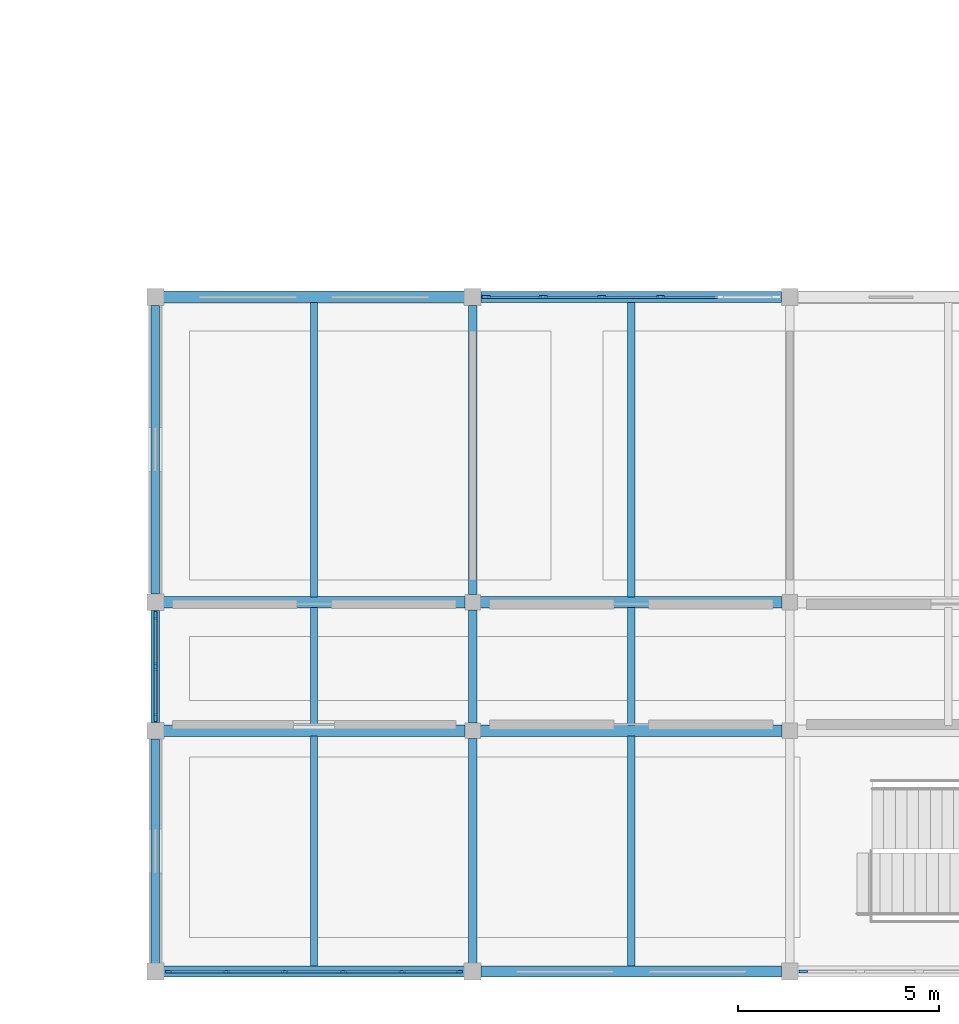
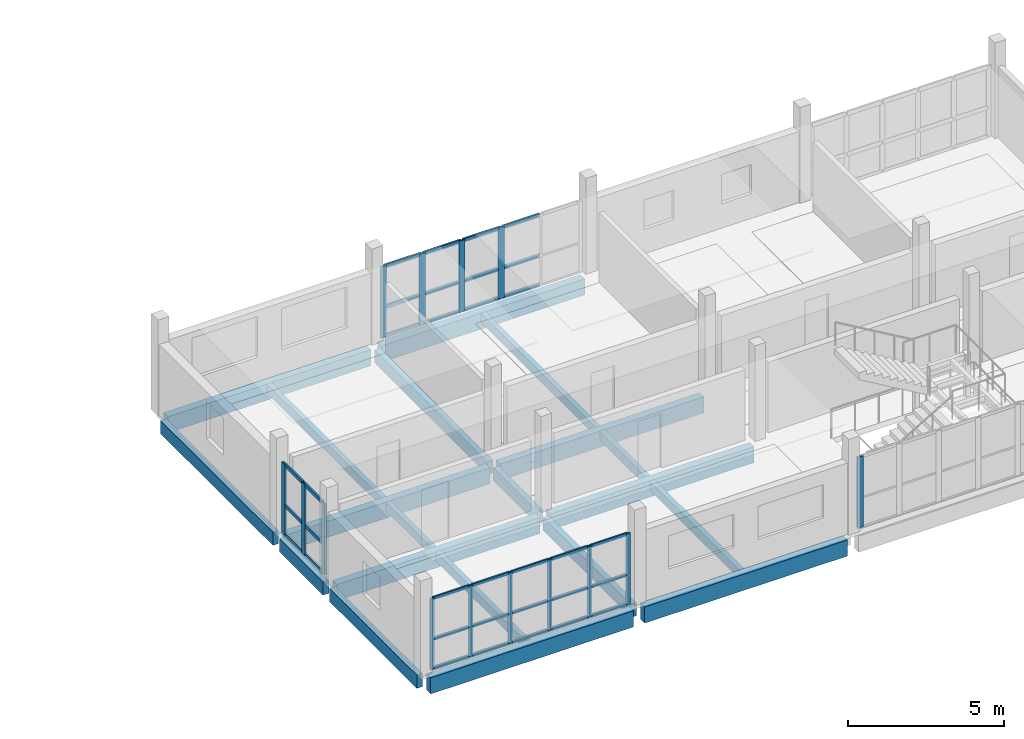
# One storey, part 15 of 77: 47 members, 20 beams, 4 elements without a shape of their own.
"""IFC4 building model written with IfcOpenShell, lengths in metres."""

from ifc_helpers import new_model, si_unit, direction, frame, origin, origin_2d, place, context, subcontext, project, spatial, rectangle, extrude, material, layer, layer_set, material_profile, profile_set, type_object, element, aggregate, save


model = new_model("IFC4")

# Units and contexts
model_context = context("Model", 3, precision=1e-05, world=origin(), true_north=direction((0.0, 1.0)))
body_context = subcontext(model_context, "Body", "Model", "MODEL_VIEW")
ifc_project = project(units=[si_unit("LENGTHUNIT", "METRE"), si_unit("AREAUNIT", "SQUARE_METRE"), si_unit("VOLUMEUNIT", "CUBIC_METRE"), si_unit("PLANEANGLEUNIT", "RADIAN"), si_unit("MASSUNIT", "GRAM", prefix="KILO")], contexts=[model_context])

# Site, building, storey
site_placement = place(None, origin())
site = spatial("IfcSite", under=ifc_project, at=site_placement, CompositionType="ELEMENT")
building_placement = place(site_placement, origin())
building = spatial("IfcBuilding", under=site, at=building_placement, Name="Caldaven Crescent School", CompositionType="ELEMENT")
storey_placement = place(building_placement, frame((0.0, 0.0, 4.419921875)))
storey = spatial("IfcBuildingStorey", under=building, at=storey_placement, Name="L01", CompositionType="ELEMENT", Elevation=4.419921875)

# Beams
ifc_material_1 = material(Name="Glulam MLE24h (GL28h)", Category="wood")
ifc_material_profile_1 = material_profile(ifc_material_1, rectangle(XDim=0.2099609375, YDim=0.510009765625, at=origin_2d()), Name="MLE 210x510")
ifc_profile_set_1 = profile_set([ifc_material_profile_1], Name="Glulam MLE24h (GL28h)")
beam_type_1 = type_object("IfcBeamType", Name="BM-GL51", PredefinedType="BEAM", material=ifc_profile_set_1)
beam_1_placement = place(storey_placement, frame((25.5, 4.405029296875, -0.474853515625), z_axis=(0.0, 1.0, 0.0), x_axis=(-1.0, 0.0, 0.0)))
element("IfcBeam", 1, at=beam_1_placement, inside=storey, type_object=beam_type_1, Name="BMY-V4S-L01-0604", PredefinedType="BEAM", context=body_context, shape_type="SweptSolid", body=[
    extrude(rectangle(XDim=0.2099609375, YDim=0.510009765625, at=origin_2d()), origin(), (0.0, 0.0, 1.0), 5.590087890625),
])
beam_2_placement = place(storey_placement, frame((25.5, 10.405029296875, -0.474853515625), z_axis=(0.0, 1.0, 0.0), x_axis=(-1.0, 0.0, 0.0)))
element("IfcBeam", 2, at=beam_2_placement, inside=storey, type_object=beam_type_1, Name="BMY-V4S-L01-0605", PredefinedType="BEAM", context=body_context, shape_type="SweptSolid", body=[
    extrude(rectangle(XDim=0.2099609375, YDim=0.510009765625, at=origin_2d()), origin(), (0.0, 0.0, 1.0), 2.7900390625),
])
beam_3_placement = place(storey_placement, frame((25.5, 13.60498046875, -0.474853515625), z_axis=(0.0, 1.0, 0.0), x_axis=(-1.0, 0.0, 0.0)))
element("IfcBeam", 3, at=beam_3_placement, inside=storey, type_object=beam_type_1, Name="BMY-V4S-L01-0606", PredefinedType="BEAM", context=body_context, shape_type="SweptSolid", body=[
    extrude(rectangle(XDim=0.2099609375, YDim=0.510009765625, at=origin_2d()), origin(), (0.0, 0.0, 1.0), 7.18994140625),
])
beam_4_placement = place(storey_placement, frame((33.39990234375, 4.405029296875, -0.474853515625), z_axis=(0.0, 1.0, 0.0), x_axis=(-1.0, 0.0, 0.0)))
element("IfcBeam", 4, at=beam_4_placement, inside=storey, type_object=beam_type_1, Name="BMY-V4S-L01-0607", PredefinedType="BEAM", context=body_context, shape_type="SweptSolid", body=[
    extrude(rectangle(XDim=0.2099609375, YDim=0.510009765625, at=origin_2d()), origin(), (0.0, 0.0, 1.0), 5.60498046875),
])
beam_5_placement = place(storey_placement, frame((33.39990234375, 10.389892578125, -0.474853515625), z_axis=(0.0, 1.0, 0.0), x_axis=(-1.0, 0.0, 0.0)))
element("IfcBeam", 5, at=beam_5_placement, inside=storey, type_object=beam_type_1, Name="BMY-V4S-L01-0608", PredefinedType="BEAM", context=body_context, shape_type="SweptSolid", body=[
    extrude(rectangle(XDim=0.2099609375, YDim=0.510009765625, at=origin_2d()), origin(), (0.0, 0.0, 1.0), 2.820068359375),
])
beam_6_placement = place(storey_placement, frame((33.39990234375, 13.590087890625, -0.474853515625), z_axis=(0.0, 1.0, 0.0), x_axis=(-1.0, 0.0, 0.0)))
element("IfcBeam", 6, at=beam_6_placement, inside=storey, type_object=beam_type_1, Name="BMY-V4S-L01-0609", PredefinedType="BEAM", context=body_context, shape_type="SweptSolid", body=[
    extrude(rectangle(XDim=0.2099609375, YDim=0.510009765625, at=origin_2d()), origin(), (0.0, 0.0, 1.0), 7.204833984375),
])
ifc_material_profile_2 = material_profile(ifc_material_1, rectangle(XDim=0.280029296875, YDim=0.6298828125, at=origin_2d()), Name="MLE 280x630")
ifc_profile_set_2 = profile_set([ifc_material_profile_2], Name="Glulam MLE24h (GL28h)")
beam_type_2 = type_object("IfcBeamType", Name="BM-GL63", PredefinedType="BEAM", material=ifc_profile_set_2)
for number, where, z_axis, x_axis, name in (
    (7, (25.705078125, 4.199951171875, -0.534912109375), (1.0, 0.0, 0.0), (0.0, 1.0, 0.0), "BMX-V4S-L01-0588"),
    (8, (33.60498046875, 4.199951171875, -0.534912109375), (1.0, 0.0, 0.0), (0.0, 1.0, 0.0), "BMX-V4S-L01-0589"),
):
    element("IfcBeam", number, at=place(storey_placement, frame(where, z_axis=z_axis, x_axis=x_axis)), inside=storey, type_object=beam_type_2, Name=name, PredefinedType="BEAM", context=body_context, shape_type="SweptSolid", body=[
        extrude(rectangle(XDim=0.280029296875, YDim=0.6298828125, at=origin_2d()), origin(), (0.0, 0.0, 1.0), 7.489990234375),
    ])
beam_7_placement = place(storey_placement, frame((25.705078125, 10.199951171875, -0.534912109375), z_axis=(1.0, 0.0, 0.0), x_axis=(0.0, 1.0, 0.0)))
element("IfcBeam", 9, at=beam_7_placement, inside=storey, type_object=beam_type_2, Name="BMX-V4S-L01-0592", PredefinedType="BEAM", context=body_context, shape_type="SweptSolid", body=[
    extrude(rectangle(XDim=0.280029296875, YDim=0.6298828125, at=origin_2d()), origin(), (0.0, 0.0, 1.0), 7.5048828125),
])
beam_8_placement = place(storey_placement, frame((33.590087890625, 10.199951171875, -0.534912109375), z_axis=(1.0, 0.0, 0.0), x_axis=(0.0, 1.0, 0.0)))
element("IfcBeam", 10, at=beam_8_placement, inside=storey, type_object=beam_type_2, Name="BMX-V4S-L01-0593", PredefinedType="BEAM", context=body_context, shape_type="SweptSolid", body=[
    extrude(rectangle(XDim=0.280029296875, YDim=0.6298828125, at=origin_2d()), origin(), (0.0, 0.0, 1.0), 7.52001953125),
])
beam_9_placement = place(storey_placement, frame((25.705078125, 13.39990234375, -0.534912109375), z_axis=(1.0, 0.0, 0.0), x_axis=(0.0, 1.0, 0.0)))
element("IfcBeam", 11, at=beam_9_placement, inside=storey, type_object=beam_type_2, Name="BMX-V4S-L01-0596", PredefinedType="BEAM", context=body_context, shape_type="SweptSolid", body=[
    extrude(rectangle(XDim=0.280029296875, YDim=0.6298828125, at=origin_2d()), origin(), (0.0, 0.0, 1.0), 7.5048828125),
])
beam_10_placement = place(storey_placement, frame((33.590087890625, 13.39990234375, -0.534912109375), z_axis=(1.0, 0.0, 0.0), x_axis=(0.0, 1.0, 0.0)))
element("IfcBeam", 12, at=beam_10_placement, inside=storey, type_object=beam_type_2, Name="BMX-V4S-L01-0597", PredefinedType="BEAM", context=body_context, shape_type="SweptSolid", body=[
    extrude(rectangle(XDim=0.280029296875, YDim=0.6298828125, at=origin_2d()), origin(), (0.0, 0.0, 1.0), 7.52001953125),
])
for number, where, z_axis, x_axis, name in (
    (13, (25.705078125, 21.0, -0.534912109375), (1.0, 0.0, 0.0), (0.0, 1.0, 0.0), "BMX-V4S-L01-0600"),
    (14, (33.60498046875, 21.0, -0.534912109375), (1.0, 0.0, 0.0), (0.0, 1.0, 0.0), "BMX-V4S-L01-0601"),
):
    element("IfcBeam", number, at=place(storey_placement, frame(where, z_axis=z_axis, x_axis=x_axis)), inside=storey, type_object=beam_type_2, Name=name, PredefinedType="BEAM", context=body_context, shape_type="SweptSolid", body=[
        extrude(rectangle(XDim=0.280029296875, YDim=0.6298828125, at=origin_2d()), origin(), (0.0, 0.0, 1.0), 7.489990234375),
    ])

# Curtain wall, members
ifc_material_2 = material(Name="Anodised aluminium AA 6063-T6 and low-E double glazing", Category="aluminium")
ifc_layer_1 = layer(ifc_material_2, 0.169921875)
ifc_layer_set_1 = layer_set([ifc_layer_1], Name="Anodised aluminium AA 6063-T6 and low-E double glazing")
curtain_wall_type_1 = type_object("IfcCurtainWallType", Name="CW-SYS1", PredefinedType="NOTDEFINED", material=ifc_layer_set_1)
curtain_wall_1_placement = place(storey_placement, origin())
curtain_wall_1 = element("IfcCurtainWall", 15, at=curtain_wall_1_placement, inside=storey, type_object=curtain_wall_type_1, Name="CW-L01-093", PredefinedType="NOTDEFINED")
ifc_material_3 = material(Name="Anodised aluminium AA 6063-T6", Category="aluminium")
ifc_material_profile_3 = material_profile(ifc_material_3, rectangle(XDim=0.06005859375, YDim=0.14990234375, at=origin_2d()), Name="CWM 60x150")
ifc_profile_set_3 = profile_set([ifc_material_profile_3], Name="Anodised aluminium AA 6063-T6")
member_type_1 = type_object("IfcMemberType", Name="CWM-T1", PredefinedType="MULLION", material=ifc_profile_set_3)
member_1_placement = place(storey_placement, frame((25.830078125, 4.199951171875, 0.0), z_axis=(0.0, 0.0, 1.0), x_axis=(0.0, 1.0, 0.0)))
member_1 = element("IfcMember", 16, at=member_1_placement, type_object=member_type_1, Name="CW1 mullion 1", PredefinedType="MULLION", context=body_context, shape_type="SweptSolid", body=[
    extrude(rectangle(XDim=0.06005859375, YDim=0.14990234375, at=origin_2d()), origin(), (0.0, 0.0, 1.0), 2.780029296875),
])
member_2_placement = place(storey_placement, frame((27.260009765625, 4.199951171875, 0.0), z_axis=(0.0, 0.0, 1.0), x_axis=(0.0, 1.0, 0.0)))
member_2 = element("IfcMember", 17, at=member_2_placement, type_object=member_type_1, Name="CW1 mullion 2", PredefinedType="MULLION", context=body_context, shape_type="SweptSolid", body=[
    extrude(rectangle(XDim=0.06005859375, YDim=0.14990234375, at=origin_2d()), origin(), (0.0, 0.0, 1.0), 2.780029296875),
])
member_3_placement = place(storey_placement, frame((28.719970703125, 4.199951171875, 0.0), z_axis=(0.0, 0.0, 1.0), x_axis=(0.0, 1.0, 0.0)))
member_3 = element("IfcMember", 18, at=member_3_placement, type_object=member_type_1, Name="CW1 mullion 3", PredefinedType="MULLION", context=body_context, shape_type="SweptSolid", body=[
    extrude(rectangle(XDim=0.06005859375, YDim=0.14990234375, at=origin_2d()), origin(), (0.0, 0.0, 1.0), 2.780029296875),
])
member_4_placement = place(storey_placement, frame((30.179931640625, 4.199951171875, 0.0), z_axis=(0.0, 0.0, 1.0), x_axis=(0.0, 1.0, 0.0)))
member_4 = element("IfcMember", 19, at=member_4_placement, type_object=member_type_1, Name="CW1 mullion 4", PredefinedType="MULLION", context=body_context, shape_type="SweptSolid", body=[
    extrude(rectangle(XDim=0.06005859375, YDim=0.14990234375, at=origin_2d()), origin(), (0.0, 0.0, 1.0), 2.780029296875),
])
member_5_placement = place(storey_placement, frame((31.639892578125, 4.199951171875, 0.0), z_axis=(0.0, 0.0, 1.0), x_axis=(0.0, 1.0, 0.0)))
member_5 = element("IfcMember", 20, at=member_5_placement, type_object=member_type_1, Name="CW1 mullion 5", PredefinedType="MULLION", context=body_context, shape_type="SweptSolid", body=[
    extrude(rectangle(XDim=0.06005859375, YDim=0.14990234375, at=origin_2d()), origin(), (0.0, 0.0, 1.0), 2.780029296875),
])
member_6_placement = place(storey_placement, frame((33.070068359375, 4.199951171875, 0.0), z_axis=(0.0, 0.0, 1.0), x_axis=(0.0, 1.0, 0.0)))
member_6 = element("IfcMember", 21, at=member_6_placement, type_object=member_type_1, Name="CW1 mullion 6", PredefinedType="MULLION", context=body_context, shape_type="SweptSolid", body=[
    extrude(rectangle(XDim=0.06005859375, YDim=0.14990234375, at=origin_2d()), origin(), (0.0, 0.0, 1.0), 2.780029296875),
])

# Curtain wall, member
ifc_layer_2 = layer(ifc_material_2, 0.2099609375)
ifc_layer_set_2 = layer_set([ifc_layer_2], Name="Anodised aluminium AA 6063-T6 and low-E double glazing")
curtain_wall_type_2 = type_object("IfcCurtainWallType", Name="CW-SYS3", PredefinedType="NOTDEFINED", material=ifc_layer_set_2)
curtain_wall_2_placement = place(storey_placement, origin())
curtain_wall_2 = element("IfcCurtainWall", 22, at=curtain_wall_2_placement, inside=storey, type_object=curtain_wall_type_2, Name="CW-L01-094", PredefinedType="NOTDEFINED")
ifc_material_profile_4 = material_profile(ifc_material_3, rectangle(XDim=0.070068359375, YDim=0.2099609375, at=origin_2d()), Name="CWM 70x210")
ifc_profile_set_4 = profile_set([ifc_material_profile_4], Name="Anodised aluminium AA 6063-T6")
member_type_2 = type_object("IfcMemberType", Name="CWM-T3", PredefinedType="MULLION", material=ifc_profile_set_4)
member_7_placement = place(storey_placement, frame((41.635009765625, 4.199951171875, 0.0), z_axis=(0.0, 0.0, 1.0), x_axis=(0.0, 1.0, 0.0)))
member_7 = element("IfcMember", 23, at=member_7_placement, type_object=member_type_2, Name="CW3 mullion 1", PredefinedType="MULLION", context=body_context, shape_type="SweptSolid", body=[
    extrude(rectangle(XDim=0.070068359375, YDim=0.2099609375, at=origin_2d()), origin(), (0.0, 0.0, 1.0), 2.780029296875),
])
aggregate(curtain_wall_2, [member_7])

# Curtain wall, members
curtain_wall_3_placement = place(storey_placement, origin())
curtain_wall_3 = element("IfcCurtainWall", 24, at=curtain_wall_3_placement, inside=storey, type_object=curtain_wall_type_2, Name="CW-L01-095", PredefinedType="NOTDEFINED")
member_8_placement = place(storey_placement, frame((33.735107421875, 21.0, 0.0), z_axis=(0.0, 0.0, 1.0), x_axis=(0.0, 1.0, 0.0)))
member_8 = element("IfcMember", 25, at=member_8_placement, type_object=member_type_2, Name="CW3 mullion 1", PredefinedType="MULLION", context=body_context, shape_type="SweptSolid", body=[
    extrude(rectangle(XDim=0.070068359375, YDim=0.2099609375, at=origin_2d()), origin(), (0.0, 0.0, 1.0), 2.780029296875),
])
member_9_placement = place(storey_placement, frame((35.159912109375, 21.0, 0.0), z_axis=(0.0, 0.0, 1.0), x_axis=(0.0, 1.0, 0.0)))
member_9 = element("IfcMember", 26, at=member_9_placement, type_object=member_type_2, Name="CW3 mullion 2", PredefinedType="MULLION", context=body_context, shape_type="SweptSolid", body=[
    extrude(rectangle(XDim=0.070068359375, YDim=0.2099609375, at=origin_2d()), origin(), (0.0, 0.0, 1.0), 2.780029296875),
])
member_10_placement = place(storey_placement, frame((36.6201171875, 21.0, 0.0), z_axis=(0.0, 0.0, 1.0), x_axis=(0.0, 1.0, 0.0)))
member_10 = element("IfcMember", 27, at=member_10_placement, type_object=member_type_2, Name="CW3 mullion 3", PredefinedType="MULLION", context=body_context, shape_type="SweptSolid", body=[
    extrude(rectangle(XDim=0.070068359375, YDim=0.2099609375, at=origin_2d()), origin(), (0.0, 0.0, 1.0), 2.780029296875),
])
member_11_placement = place(storey_placement, frame((38.080078125, 21.0, 0.0), z_axis=(0.0, 0.0, 1.0), x_axis=(0.0, 1.0, 0.0)))
member_11 = element("IfcMember", 28, at=member_11_placement, type_object=member_type_2, Name="CW3 mullion 4", PredefinedType="MULLION", context=body_context, shape_type="SweptSolid", body=[
    extrude(rectangle(XDim=0.070068359375, YDim=0.2099609375, at=origin_2d()), origin(), (0.0, 0.0, 1.0), 2.780029296875),
])

curtain_wall_4_placement = place(storey_placement, origin())
curtain_wall_4 = element("IfcCurtainWall", 29, at=curtain_wall_4_placement, inside=storey, type_object=curtain_wall_type_2, Name="CW-L01-097", PredefinedType="NOTDEFINED")
member_12_placement = place(storey_placement, frame((25.5, 10.534912109375, 0.0), z_axis=(0.0, 0.0, 1.0), x_axis=(-1.0, 0.0, 0.0)))
member_12 = element("IfcMember", 30, at=member_12_placement, type_object=member_type_2, Name="CW3 mullion 1", PredefinedType="MULLION", context=body_context, shape_type="SweptSolid", body=[
    extrude(rectangle(XDim=0.070068359375, YDim=0.2099609375, at=origin_2d()), origin(), (0.0, 0.0, 1.0), 2.780029296875),
])
member_13_placement = place(storey_placement, frame((25.5, 11.800048828125, 0.0), z_axis=(0.0, 0.0, 1.0), x_axis=(-1.0, 0.0, 0.0)))
member_13 = element("IfcMember", 31, at=member_13_placement, type_object=member_type_2, Name="CW3 mullion 2", PredefinedType="MULLION", context=body_context, shape_type="SweptSolid", body=[
    extrude(rectangle(XDim=0.070068359375, YDim=0.2099609375, at=origin_2d()), origin(), (0.0, 0.0, 1.0), 2.780029296875),
])
member_14_placement = place(storey_placement, frame((25.5, 13.06494140625, 0.0), z_axis=(0.0, 0.0, 1.0), x_axis=(-1.0, 0.0, 0.0)))
member_14 = element("IfcMember", 32, at=member_14_placement, type_object=member_type_2, Name="CW3 mullion 3", PredefinedType="MULLION", context=body_context, shape_type="SweptSolid", body=[
    extrude(rectangle(XDim=0.070068359375, YDim=0.2099609375, at=origin_2d()), origin(), (0.0, 0.0, 1.0), 2.780029296875),
])

# Member
ifc_material_profile_5 = material_profile(ifc_material_3, rectangle(XDim=0.06005859375, YDim=0.1201171875, at=origin_2d()), Name="CWT 60x120")
ifc_profile_set_5 = profile_set([ifc_material_profile_5], Name="Anodised aluminium AA 6063-T6")
member_type_3 = type_object("IfcMemberType", Name="CWT-T1", PredefinedType="USERDEFINED", material=ifc_profile_set_5)
member_15_placement = place(storey_placement, frame((25.860107421875, 4.199951171875, 0.030029296875), z_axis=(1.0, 0.0, 0.0), x_axis=(0.0, 1.0, 0.0)))
member_15 = element("IfcMember", 33, at=member_15_placement, type_object=member_type_3, Name="CW1 transom 1.1", ObjectType="TRANSOM", PredefinedType="USERDEFINED", context=body_context, shape_type="SweptSolid", body=[
    extrude(rectangle(XDim=0.06005859375, YDim=0.1201171875, at=origin_2d()), origin(), (0.0, 0.0, 1.0), 1.369873046875),
])

member_16_placement = place(storey_placement, frame((25.860107421875, 4.199951171875, 1.16796875), z_axis=(1.0, 0.0, 0.0), x_axis=(0.0, 1.0, 0.0)))
member_16 = element("IfcMember", 34, at=member_16_placement, type_object=member_type_3, Name="CW1 transom 1.2", ObjectType="TRANSOM", PredefinedType="USERDEFINED", context=body_context, shape_type="SweptSolid", body=[
    extrude(rectangle(XDim=0.06005859375, YDim=0.1201171875, at=origin_2d()), origin(), (0.0, 0.0, 1.0), 1.369873046875),
])

member_17_placement = place(storey_placement, frame((25.860107421875, 4.199951171875, 2.75), z_axis=(1.0, 0.0, 0.0), x_axis=(0.0, 1.0, 0.0)))
member_17 = element("IfcMember", 35, at=member_17_placement, type_object=member_type_3, Name="CW1 transom 1.3", ObjectType="TRANSOM", PredefinedType="USERDEFINED", context=body_context, shape_type="SweptSolid", body=[
    extrude(rectangle(XDim=0.06005859375, YDim=0.1201171875, at=origin_2d()), origin(), (0.0, 0.0, 1.0), 1.369873046875),
])

member_18_placement = place(storey_placement, frame((27.2900390625, 4.199951171875, 0.030029296875), z_axis=(1.0, 0.0, 0.0), x_axis=(0.0, 1.0, 0.0)))
member_18 = element("IfcMember", 36, at=member_18_placement, type_object=member_type_3, Name="CW1 transom 2.1", ObjectType="TRANSOM", PredefinedType="USERDEFINED", context=body_context, shape_type="SweptSolid", body=[
    extrude(rectangle(XDim=0.06005859375, YDim=0.1201171875, at=origin_2d()), origin(), (0.0, 0.0, 1.0), 1.39990234375),
])

member_19_placement = place(storey_placement, frame((27.2900390625, 4.199951171875, 1.16796875), z_axis=(1.0, 0.0, 0.0), x_axis=(0.0, 1.0, 0.0)))
member_19 = element("IfcMember", 37, at=member_19_placement, type_object=member_type_3, Name="CW1 transom 2.2", ObjectType="TRANSOM", PredefinedType="USERDEFINED", context=body_context, shape_type="SweptSolid", body=[
    extrude(rectangle(XDim=0.06005859375, YDim=0.1201171875, at=origin_2d()), origin(), (0.0, 0.0, 1.0), 1.39990234375),
])

member_20_placement = place(storey_placement, frame((27.2900390625, 4.199951171875, 2.75), z_axis=(1.0, 0.0, 0.0), x_axis=(0.0, 1.0, 0.0)))
member_20 = element("IfcMember", 38, at=member_20_placement, type_object=member_type_3, Name="CW1 transom 2.3", ObjectType="TRANSOM", PredefinedType="USERDEFINED", context=body_context, shape_type="SweptSolid", body=[
    extrude(rectangle(XDim=0.06005859375, YDim=0.1201171875, at=origin_2d()), origin(), (0.0, 0.0, 1.0), 1.39990234375),
])

member_21_placement = place(storey_placement, frame((28.75, 4.199951171875, 0.030029296875), z_axis=(1.0, 0.0, 0.0), x_axis=(0.0, 1.0, 0.0)))
member_21 = element("IfcMember", 39, at=member_21_placement, type_object=member_type_3, Name="CW1 transom 3.1", ObjectType="TRANSOM", PredefinedType="USERDEFINED", context=body_context, shape_type="SweptSolid", body=[
    extrude(rectangle(XDim=0.06005859375, YDim=0.1201171875, at=origin_2d()), origin(), (0.0, 0.0, 1.0), 1.39990234375),
])

member_22_placement = place(storey_placement, frame((28.75, 4.199951171875, 1.16796875), z_axis=(1.0, 0.0, 0.0), x_axis=(0.0, 1.0, 0.0)))
member_22 = element("IfcMember", 40, at=member_22_placement, type_object=member_type_3, Name="CW1 transom 3.2", ObjectType="TRANSOM", PredefinedType="USERDEFINED", context=body_context, shape_type="SweptSolid", body=[
    extrude(rectangle(XDim=0.06005859375, YDim=0.1201171875, at=origin_2d()), origin(), (0.0, 0.0, 1.0), 1.39990234375),
])

member_23_placement = place(storey_placement, frame((28.75, 4.199951171875, 2.75), z_axis=(1.0, 0.0, 0.0), x_axis=(0.0, 1.0, 0.0)))
member_23 = element("IfcMember", 41, at=member_23_placement, type_object=member_type_3, Name="CW1 transom 3.3", ObjectType="TRANSOM", PredefinedType="USERDEFINED", context=body_context, shape_type="SweptSolid", body=[
    extrude(rectangle(XDim=0.06005859375, YDim=0.1201171875, at=origin_2d()), origin(), (0.0, 0.0, 1.0), 1.39990234375),
])

member_24_placement = place(storey_placement, frame((30.2099609375, 4.199951171875, 0.030029296875), z_axis=(1.0, 0.0, 0.0), x_axis=(0.0, 1.0, 0.0)))
member_24 = element("IfcMember", 42, at=member_24_placement, type_object=member_type_3, Name="CW1 transom 4.1", ObjectType="TRANSOM", PredefinedType="USERDEFINED", context=body_context, shape_type="SweptSolid", body=[
    extrude(rectangle(XDim=0.06005859375, YDim=0.1201171875, at=origin_2d()), origin(), (0.0, 0.0, 1.0), 1.400146484375),
])

member_25_placement = place(storey_placement, frame((30.2099609375, 4.199951171875, 1.16796875), z_axis=(1.0, 0.0, 0.0), x_axis=(0.0, 1.0, 0.0)))
member_25 = element("IfcMember", 43, at=member_25_placement, type_object=member_type_3, Name="CW1 transom 4.2", ObjectType="TRANSOM", PredefinedType="USERDEFINED", context=body_context, shape_type="SweptSolid", body=[
    extrude(rectangle(XDim=0.06005859375, YDim=0.1201171875, at=origin_2d()), origin(), (0.0, 0.0, 1.0), 1.400146484375),
])

member_26_placement = place(storey_placement, frame((30.2099609375, 4.199951171875, 2.75), z_axis=(1.0, 0.0, 0.0), x_axis=(0.0, 1.0, 0.0)))
member_26 = element("IfcMember", 44, at=member_26_placement, type_object=member_type_3, Name="CW1 transom 4.3", ObjectType="TRANSOM", PredefinedType="USERDEFINED", context=body_context, shape_type="SweptSolid", body=[
    extrude(rectangle(XDim=0.06005859375, YDim=0.1201171875, at=origin_2d()), origin(), (0.0, 0.0, 1.0), 1.400146484375),
])

member_27_placement = place(storey_placement, frame((31.669921875, 4.199951171875, 0.030029296875), z_axis=(1.0, 0.0, 0.0), x_axis=(0.0, 1.0, 0.0)))
member_27 = element("IfcMember", 45, at=member_27_placement, type_object=member_type_3, Name="CW1 transom 5.1", ObjectType="TRANSOM", PredefinedType="USERDEFINED", context=body_context, shape_type="SweptSolid", body=[
    extrude(rectangle(XDim=0.06005859375, YDim=0.1201171875, at=origin_2d()), origin(), (0.0, 0.0, 1.0), 1.3701171875),
])

member_28_placement = place(storey_placement, frame((31.669921875, 4.199951171875, 1.16796875), z_axis=(1.0, 0.0, 0.0), x_axis=(0.0, 1.0, 0.0)))
member_28 = element("IfcMember", 46, at=member_28_placement, type_object=member_type_3, Name="CW1 transom 5.2", ObjectType="TRANSOM", PredefinedType="USERDEFINED", context=body_context, shape_type="SweptSolid", body=[
    extrude(rectangle(XDim=0.06005859375, YDim=0.1201171875, at=origin_2d()), origin(), (0.0, 0.0, 1.0), 1.3701171875),
])

member_29_placement = place(storey_placement, frame((31.669921875, 4.199951171875, 2.75), z_axis=(1.0, 0.0, 0.0), x_axis=(0.0, 1.0, 0.0)))
member_29 = element("IfcMember", 47, at=member_29_placement, type_object=member_type_3, Name="CW1 transom 5.3", ObjectType="TRANSOM", PredefinedType="USERDEFINED", context=body_context, shape_type="SweptSolid", body=[
    extrude(rectangle(XDim=0.06005859375, YDim=0.1201171875, at=origin_2d()), origin(), (0.0, 0.0, 1.0), 1.3701171875),
])

aggregate(curtain_wall_1, [member_1, member_2, member_3, member_4, member_5, member_6, member_15, member_16, member_17, member_18, member_19, member_20, member_21, member_22, member_23, member_24, member_25, member_26, member_27, member_28, member_29])

ifc_material_profile_6 = material_profile(ifc_material_3, rectangle(XDim=0.06494140625, YDim=0.139892578125, at=origin_2d()), Name="CWT 65x140")
ifc_profile_set_6 = profile_set([ifc_material_profile_6], Name="Anodised aluminium AA 6063-T6")
member_type_4 = type_object("IfcMemberType", Name="CWT-T2", PredefinedType="USERDEFINED", material=ifc_profile_set_6)
member_30_placement = place(storey_placement, frame((33.77001953125, 21.0, 0.032470703125), z_axis=(1.0, 0.0, 0.0), x_axis=(0.0, 1.0, 0.0)))
member_30 = element("IfcMember", 48, at=member_30_placement, type_object=member_type_4, Name="CW3 transom 1.1", ObjectType="TRANSOM", PredefinedType="USERDEFINED", context=body_context, shape_type="SweptSolid", body=[
    extrude(rectangle(XDim=0.06494140625, YDim=0.139892578125, at=origin_2d()), origin(), (0.0, 0.0, 1.0), 1.35498046875),
])

member_31_placement = place(storey_placement, frame((33.77001953125, 21.0, 1.16796875), z_axis=(1.0, 0.0, 0.0), x_axis=(0.0, 1.0, 0.0)))
member_31 = element("IfcMember", 49, at=member_31_placement, type_object=member_type_4, Name="CW3 transom 1.2", ObjectType="TRANSOM", PredefinedType="USERDEFINED", context=body_context, shape_type="SweptSolid", body=[
    extrude(rectangle(XDim=0.06494140625, YDim=0.139892578125, at=origin_2d()), origin(), (0.0, 0.0, 1.0), 1.35498046875),
])

member_32_placement = place(storey_placement, frame((33.77001953125, 21.0, 2.74755859375), z_axis=(1.0, 0.0, 0.0), x_axis=(0.0, 1.0, 0.0)))
member_32 = element("IfcMember", 50, at=member_32_placement, type_object=member_type_4, Name="CW3 transom 1.3", ObjectType="TRANSOM", PredefinedType="USERDEFINED", context=body_context, shape_type="SweptSolid", body=[
    extrude(rectangle(XDim=0.06494140625, YDim=0.139892578125, at=origin_2d()), origin(), (0.0, 0.0, 1.0), 1.35498046875),
])

member_33_placement = place(storey_placement, frame((35.195068359375, 21.0, 0.032470703125), z_axis=(1.0, 0.0, 0.0), x_axis=(0.0, 1.0, 0.0)))
member_33 = element("IfcMember", 51, at=member_33_placement, type_object=member_type_4, Name="CW3 transom 2.1", ObjectType="TRANSOM", PredefinedType="USERDEFINED", context=body_context, shape_type="SweptSolid", body=[
    extrude(rectangle(XDim=0.06494140625, YDim=0.139892578125, at=origin_2d()), origin(), (0.0, 0.0, 1.0), 1.389892578125),
])

member_34_placement = place(storey_placement, frame((35.195068359375, 21.0, 1.16796875), z_axis=(1.0, 0.0, 0.0), x_axis=(0.0, 1.0, 0.0)))
member_34 = element("IfcMember", 52, at=member_34_placement, type_object=member_type_4, Name="CW3 transom 2.2", ObjectType="TRANSOM", PredefinedType="USERDEFINED", context=body_context, shape_type="SweptSolid", body=[
    extrude(rectangle(XDim=0.06494140625, YDim=0.139892578125, at=origin_2d()), origin(), (0.0, 0.0, 1.0), 1.389892578125),
])

member_35_placement = place(storey_placement, frame((35.195068359375, 21.0, 2.74755859375), z_axis=(1.0, 0.0, 0.0), x_axis=(0.0, 1.0, 0.0)))
member_35 = element("IfcMember", 53, at=member_35_placement, type_object=member_type_4, Name="CW3 transom 2.3", ObjectType="TRANSOM", PredefinedType="USERDEFINED", context=body_context, shape_type="SweptSolid", body=[
    extrude(rectangle(XDim=0.06494140625, YDim=0.139892578125, at=origin_2d()), origin(), (0.0, 0.0, 1.0), 1.389892578125),
])

member_36_placement = place(storey_placement, frame((36.655029296875, 21.0, 0.032470703125), z_axis=(1.0, 0.0, 0.0), x_axis=(0.0, 1.0, 0.0)))
member_36 = element("IfcMember", 54, at=member_36_placement, type_object=member_type_4, Name="CW3 transom 3.1", ObjectType="TRANSOM", PredefinedType="USERDEFINED", context=body_context, shape_type="SweptSolid", body=[
    extrude(rectangle(XDim=0.06494140625, YDim=0.139892578125, at=origin_2d()), origin(), (0.0, 0.0, 1.0), 1.389892578125),
])

member_37_placement = place(storey_placement, frame((36.655029296875, 21.0, 1.16796875), z_axis=(1.0, 0.0, 0.0), x_axis=(0.0, 1.0, 0.0)))
member_37 = element("IfcMember", 55, at=member_37_placement, type_object=member_type_4, Name="CW3 transom 3.2", ObjectType="TRANSOM", PredefinedType="USERDEFINED", context=body_context, shape_type="SweptSolid", body=[
    extrude(rectangle(XDim=0.06494140625, YDim=0.139892578125, at=origin_2d()), origin(), (0.0, 0.0, 1.0), 1.389892578125),
])

member_38_placement = place(storey_placement, frame((36.655029296875, 21.0, 2.74755859375), z_axis=(1.0, 0.0, 0.0), x_axis=(0.0, 1.0, 0.0)))
member_38 = element("IfcMember", 56, at=member_38_placement, type_object=member_type_4, Name="CW3 transom 3.3", ObjectType="TRANSOM", PredefinedType="USERDEFINED", context=body_context, shape_type="SweptSolid", body=[
    extrude(rectangle(XDim=0.06494140625, YDim=0.139892578125, at=origin_2d()), origin(), (0.0, 0.0, 1.0), 1.389892578125),
])

member_39_placement = place(storey_placement, frame((38.114990234375, 21.0, 0.032470703125), z_axis=(1.0, 0.0, 0.0), x_axis=(0.0, 1.0, 0.0)))
member_39 = element("IfcMember", 57, at=member_39_placement, type_object=member_type_4, Name="CW3 transom 4.1", ObjectType="TRANSOM", PredefinedType="USERDEFINED", context=body_context, shape_type="SweptSolid", body=[
    extrude(rectangle(XDim=0.06494140625, YDim=0.139892578125, at=origin_2d()), origin(), (0.0, 0.0, 1.0), 1.389892578125),
])

member_40_placement = place(storey_placement, frame((38.114990234375, 21.0, 1.16796875), z_axis=(1.0, 0.0, 0.0), x_axis=(0.0, 1.0, 0.0)))
member_40 = element("IfcMember", 58, at=member_40_placement, type_object=member_type_4, Name="CW3 transom 4.2", ObjectType="TRANSOM", PredefinedType="USERDEFINED", context=body_context, shape_type="SweptSolid", body=[
    extrude(rectangle(XDim=0.06494140625, YDim=0.139892578125, at=origin_2d()), origin(), (0.0, 0.0, 1.0), 1.389892578125),
])

member_41_placement = place(storey_placement, frame((38.114990234375, 21.0, 2.74755859375), z_axis=(1.0, 0.0, 0.0), x_axis=(0.0, 1.0, 0.0)))
member_41 = element("IfcMember", 59, at=member_41_placement, type_object=member_type_4, Name="CW3 transom 4.3", ObjectType="TRANSOM", PredefinedType="USERDEFINED", context=body_context, shape_type="SweptSolid", body=[
    extrude(rectangle(XDim=0.06494140625, YDim=0.139892578125, at=origin_2d()), origin(), (0.0, 0.0, 1.0), 1.389892578125),
])

aggregate(curtain_wall_3, [member_8, member_9, member_10, member_11, member_30, member_31, member_32, member_33, member_34, member_35, member_36, member_37, member_38, member_39, member_40, member_41])

member_42_placement = place(storey_placement, frame((25.5, 10.570068359375, 0.032470703125), z_axis=(0.0, 1.0, 0.0), x_axis=(-1.0, 0.0, 0.0)))
member_42 = element("IfcMember", 60, at=member_42_placement, type_object=member_type_4, Name="CW3 transom 1.1", ObjectType="TRANSOM", PredefinedType="USERDEFINED", context=body_context, shape_type="SweptSolid", body=[
    extrude(rectangle(XDim=0.06494140625, YDim=0.139892578125, at=origin_2d()), origin(), (0.0, 0.0, 1.0), 1.19482421875),
])

member_43_placement = place(storey_placement, frame((25.5, 10.570068359375, 1.16796875), z_axis=(0.0, 1.0, 0.0), x_axis=(-1.0, 0.0, 0.0)))
member_43 = element("IfcMember", 61, at=member_43_placement, type_object=member_type_4, Name="CW3 transom 1.2", ObjectType="TRANSOM", PredefinedType="USERDEFINED", context=body_context, shape_type="SweptSolid", body=[
    extrude(rectangle(XDim=0.06494140625, YDim=0.139892578125, at=origin_2d()), origin(), (0.0, 0.0, 1.0), 1.19482421875),
])

member_44_placement = place(storey_placement, frame((25.5, 10.570068359375, 2.74755859375), z_axis=(0.0, 1.0, 0.0), x_axis=(-1.0, 0.0, 0.0)))
member_44 = element("IfcMember", 62, at=member_44_placement, type_object=member_type_4, Name="CW3 transom 1.3", ObjectType="TRANSOM", PredefinedType="USERDEFINED", context=body_context, shape_type="SweptSolid", body=[
    extrude(rectangle(XDim=0.06494140625, YDim=0.139892578125, at=origin_2d()), origin(), (0.0, 0.0, 1.0), 1.19482421875),
])

member_45_placement = place(storey_placement, frame((25.5, 11.8349609375, 0.032470703125), z_axis=(0.0, 1.0, 0.0), x_axis=(-1.0, 0.0, 0.0)))
member_45 = element("IfcMember", 63, at=member_45_placement, type_object=member_type_4, Name="CW3 transom 2.1", ObjectType="TRANSOM", PredefinedType="USERDEFINED", context=body_context, shape_type="SweptSolid", body=[
    extrude(rectangle(XDim=0.06494140625, YDim=0.139892578125, at=origin_2d()), origin(), (0.0, 0.0, 1.0), 1.195068359375),
])

member_46_placement = place(storey_placement, frame((25.5, 11.8349609375, 1.16796875), z_axis=(0.0, 1.0, 0.0), x_axis=(-1.0, 0.0, 0.0)))
member_46 = element("IfcMember", 64, at=member_46_placement, type_object=member_type_4, Name="CW3 transom 2.2", ObjectType="TRANSOM", PredefinedType="USERDEFINED", context=body_context, shape_type="SweptSolid", body=[
    extrude(rectangle(XDim=0.06494140625, YDim=0.139892578125, at=origin_2d()), origin(), (0.0, 0.0, 1.0), 1.195068359375),
])

member_47_placement = place(storey_placement, frame((25.5, 11.8349609375, 2.74755859375), z_axis=(0.0, 1.0, 0.0), x_axis=(-1.0, 0.0, 0.0)))
member_47 = element("IfcMember", 65, at=member_47_placement, type_object=member_type_4, Name="CW3 transom 2.3", ObjectType="TRANSOM", PredefinedType="USERDEFINED", context=body_context, shape_type="SweptSolid", body=[
    extrude(rectangle(XDim=0.06494140625, YDim=0.139892578125, at=origin_2d()), origin(), (0.0, 0.0, 1.0), 1.195068359375),
])

aggregate(curtain_wall_4, [member_12, member_13, member_14, member_42, member_43, member_44, member_45, member_46, member_47])

# Beams
ifc_material_profile_7 = material_profile(ifc_material_1, rectangle(XDim=0.179931640625, YDim=0.360107421875, at=origin_2d()), Name="MLE 180x360")
ifc_profile_set_7 = profile_set([ifc_material_profile_7], Name="Glulam MLE24h (GL28h)")
beam_type_3 = type_object("IfcBeamType", Name="JS-GL36", PredefinedType="JOIST", material=ifc_profile_set_7)
beam_11_placement = place(storey_placement, frame((29.449951171875, 4.3349609375, -0.39990234375), z_axis=(0.0, 1.0, 0.0), x_axis=(-1.0, 0.0, 0.0)))
element("IfcBeam", 66, at=beam_11_placement, inside=storey, type_object=beam_type_3, Name="JS-V4S-L01-0619", PredefinedType="JOIST", context=body_context, shape_type="SweptSolid", body=[
    extrude(rectangle(XDim=0.179931640625, YDim=0.360107421875, at=origin_2d()), origin(), (0.0, 0.0, 1.0), 5.72998046875),
])
beam_12_placement = place(storey_placement, frame((29.449951171875, 10.3349609375, -0.39990234375), z_axis=(0.0, 1.0, 0.0), x_axis=(-1.0, 0.0, 0.0)))
element("IfcBeam", 67, at=beam_12_placement, inside=storey, type_object=beam_type_3, Name="JS-V4S-L01-0620", PredefinedType="JOIST", context=body_context, shape_type="SweptSolid", body=[
    extrude(rectangle(XDim=0.179931640625, YDim=0.360107421875, at=origin_2d()), origin(), (0.0, 0.0, 1.0), 2.929931640625),
])
beam_13_placement = place(storey_placement, frame((29.449951171875, 13.534912109375, -0.39990234375), z_axis=(0.0, 1.0, 0.0), x_axis=(-1.0, 0.0, 0.0)))
element("IfcBeam", 68, at=beam_13_placement, inside=storey, type_object=beam_type_3, Name="JS-V4S-L01-0621", PredefinedType="JOIST", context=body_context, shape_type="SweptSolid", body=[
    extrude(rectangle(XDim=0.179931640625, YDim=0.360107421875, at=origin_2d()), origin(), (0.0, 0.0, 1.0), 7.330078125),
])
beam_14_placement = place(storey_placement, frame((37.35009765625, 4.3349609375, -0.39990234375), z_axis=(0.0, 1.0, 0.0), x_axis=(-1.0, 0.0, 0.0)))
element("IfcBeam", 69, at=beam_14_placement, inside=storey, type_object=beam_type_3, Name="JS-V4S-L01-0622", PredefinedType="JOIST", context=body_context, shape_type="SweptSolid", body=[
    extrude(rectangle(XDim=0.179931640625, YDim=0.360107421875, at=origin_2d()), origin(), (0.0, 0.0, 1.0), 5.72998046875),
])
beam_15_placement = place(storey_placement, frame((37.35009765625, 10.3349609375, -0.39990234375), z_axis=(0.0, 1.0, 0.0), x_axis=(-1.0, 0.0, 0.0)))
element("IfcBeam", 70, at=beam_15_placement, inside=storey, type_object=beam_type_3, Name="JS-V4S-L01-0623", PredefinedType="JOIST", context=body_context, shape_type="SweptSolid", body=[
    extrude(rectangle(XDim=0.179931640625, YDim=0.360107421875, at=origin_2d()), origin(), (0.0, 0.0, 1.0), 2.929931640625),
])
beam_16_placement = place(storey_placement, frame((37.35009765625, 13.534912109375, -0.39990234375), z_axis=(0.0, 1.0, 0.0), x_axis=(-1.0, 0.0, 0.0)))
element("IfcBeam", 71, at=beam_16_placement, inside=storey, type_object=beam_type_3, Name="JS-V4S-L01-0624", PredefinedType="JOIST", context=body_context, shape_type="SweptSolid", body=[
    extrude(rectangle(XDim=0.179931640625, YDim=0.360107421875, at=origin_2d()), origin(), (0.0, 0.0, 1.0), 7.330078125),
])

save(model, "model.ifc")
